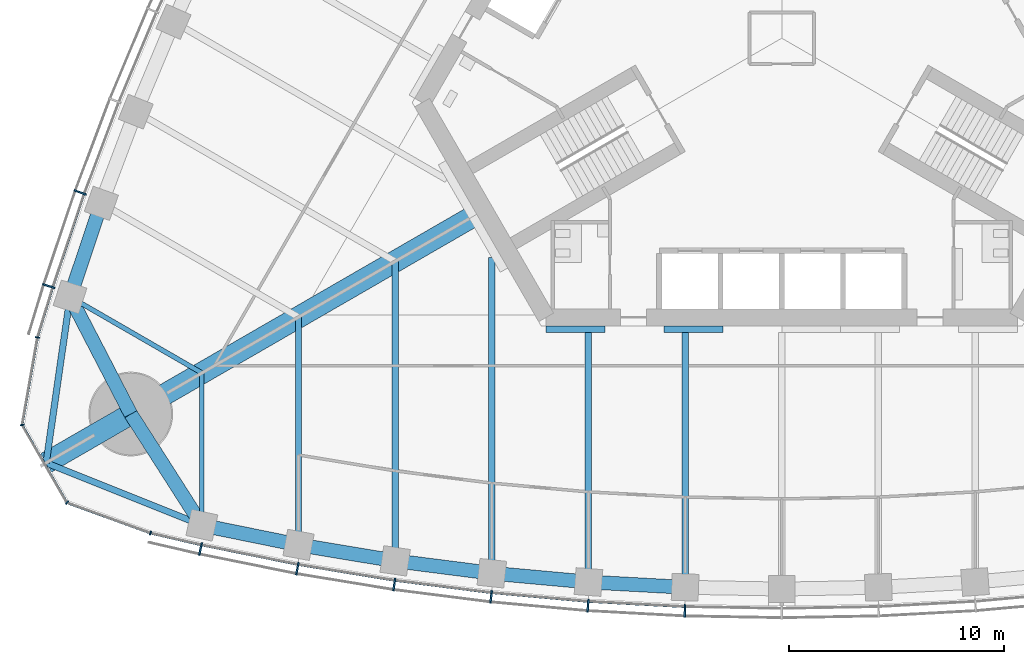
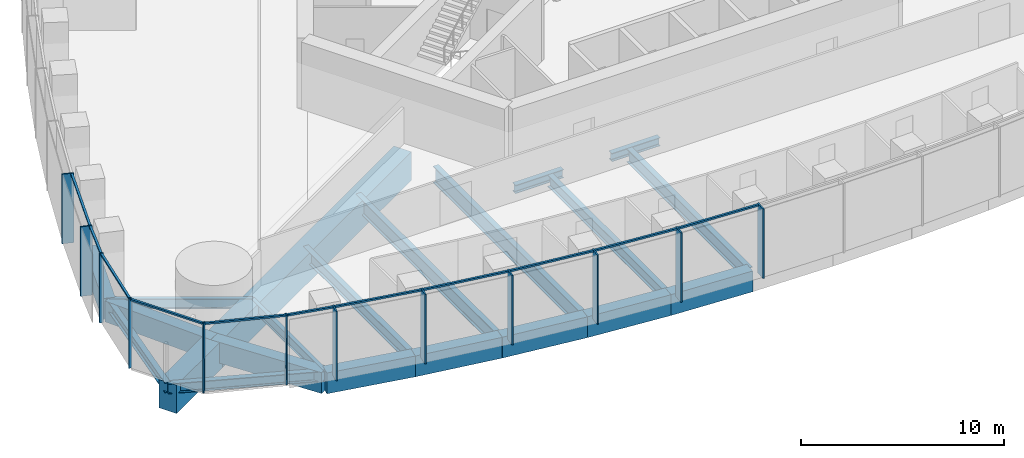
# One storey, part 2 of 21: 23 members, 21 beams, 3 elements without a shape of their own.
"""IFC4 building model written with IfcOpenShell, lengths in metres."""

from ifc_helpers import new_model, si_unit, direction, frame, origin, origin_2d, place, context, subcontext, project, spatial, rectangle, i_section, extrude, material, material_profile, profile_set, type_object, element, aggregate, save


model = new_model("IFC4")

# Units and contexts
model_context = context("Model", 3, precision=1e-05, world=origin(), true_north=direction((0.0, 1.0)))
body_context = subcontext(model_context, "Body", "Model", "MODEL_VIEW")
ifc_project = project(units=[si_unit("LENGTHUNIT", "METRE"), si_unit("AREAUNIT", "SQUARE_METRE"), si_unit("VOLUMEUNIT", "CUBIC_METRE"), si_unit("PLANEANGLEUNIT", "RADIAN"), si_unit("MASSUNIT", "GRAM", prefix="KILO")], contexts=[model_context])

# Site, building, storey
site_placement = place(None, origin())
site = spatial("IfcSite", under=ifc_project, at=site_placement, CompositionType="ELEMENT")
building_placement = place(site_placement, origin())
building = spatial("IfcBuilding", under=site, at=building_placement, Name="Trefoil Bronze Tower", CompositionType="ELEMENT")
storey_placement = place(building_placement, frame((0.0, 0.0, 153.5)))
storey = spatial("IfcBuildingStorey", under=building, at=storey_placement, Name="L35", CompositionType="ELEMENT", Elevation=153.5)

# Curtain wall, members
ifc_material_1 = material(Name="Tinted solar-control glass", Category="glass")
curtain_wall_type_1 = type_object("IfcCurtainWallType", Name="Bronze office curtain wall", PredefinedType="USERDEFINED", material=ifc_material_1)
curtain_wall_1_placement = place(storey_placement, origin())
curtain_wall_1 = element("IfcCurtainWall", 1, at=curtain_wall_1_placement, inside=storey, type_object=curtain_wall_type_1, Name="CW-A L35 F1", ObjectType="CURTAIN WALL", PredefinedType="USERDEFINED")
ifc_material_2 = material(Name="Bronze-finish aluminium", Category="aluminium")
ifc_material_profile_1 = material_profile(ifc_material_2, rectangle(XDim=0.60009765625, YDim=0.080078125, at=origin_2d()), Name="CW-A mullion")
ifc_profile_set_1 = profile_set([ifc_material_profile_1], Name="Bronze-finish aluminium")
member_type_1 = type_object("IfcMemberType", Name="Bronze office curtain wall mullion", PredefinedType="MULLION", material=ifc_profile_set_1)
member_1_placement = place(storey_placement, frame((-27.0634765625, -23.7890625, 0.0), z_axis=(0.0, 0.0, 1.0), x_axis=(0.21197042503, 0.977276081214, 0.0)))
member_1 = element("IfcMember", 2, at=member_1_placement, type_object=member_type_1, Name="CW-A L35 F1 mullion 2", PredefinedType="MULLION", context=body_context, shape_type="SweptSolid", body=[
    extrude(rectangle(XDim=0.60009765625, YDim=0.080078125, at=origin_2d()), origin(), (0.0, 0.0, 1.0), 4.179931640625),
])
member_2_placement = place(storey_placement, frame((-22.553955078125, -24.700927734375, 0.0), z_axis=(0.0, 0.0, 1.0), x_axis=(0.180240853954, 0.98362250613, 0.0)))
member_2 = element("IfcMember", 3, at=member_2_placement, type_object=member_type_1, Name="CW-A L35 F1 mullion 3", PredefinedType="MULLION", context=body_context, shape_type="SweptSolid", body=[
    extrude(rectangle(XDim=0.60009765625, YDim=0.080078125, at=origin_2d()), origin(), (0.0, 0.0, 1.0), 4.179931640625),
])
member_3_placement = place(storey_placement, frame((-18.043212890625, -25.4423828125, 0.0), z_axis=(0.0, 0.0, 1.0), x_axis=(0.144192103798, 0.989549714366, 0.0)))
member_3 = element("IfcMember", 4, at=member_3_placement, type_object=member_type_1, Name="CW-A L35 F1 mullion 4", PredefinedType="MULLION", context=body_context, shape_type="SweptSolid", body=[
    extrude(rectangle(XDim=0.60009765625, YDim=0.080078125, at=origin_2d()), origin(), (0.0, 0.0, 1.0), 4.179931640625),
])
member_4_placement = place(storey_placement, frame((-13.532470703125, -26.01611328125, 0.0), z_axis=(0.0, 0.0, 1.0), x_axis=(0.108143747013, 0.994135267447, 0.0)))
member_4 = element("IfcMember", 5, at=member_4_placement, type_object=member_type_1, Name="CW-A L35 F1 mullion 5", PredefinedType="MULLION", context=body_context, shape_type="SweptSolid", body=[
    extrude(rectangle(XDim=0.60009765625, YDim=0.080078125, at=origin_2d()), origin(), (0.0, 0.0, 1.0), 4.179931640625),
])
member_5_placement = place(storey_placement, frame((-9.021728515625, -26.424072265625, 0.0), z_axis=(0.0, 0.0, 1.0), x_axis=(0.072095676284, 0.997397720802, 0.0)))
member_5 = element("IfcMember", 6, at=member_5_placement, type_object=member_type_1, Name="CW-A L35 F1 mullion 6", PredefinedType="MULLION", context=body_context, shape_type="SweptSolid", body=[
    extrude(rectangle(XDim=0.60009765625, YDim=0.080078125, at=origin_2d()), origin(), (0.0, 0.0, 1.0), 4.179931640625),
])
member_6_placement = place(storey_placement, frame((-4.5107421875, -26.66845703125, 0.0), z_axis=(0.0, 0.0, 1.0), x_axis=(0.036047792107, 0.999350067136, 0.0)))
member_6 = element("IfcMember", 7, at=member_6_placement, type_object=member_type_1, Name="CW-A L35 F1 mullion 7", PredefinedType="MULLION", context=body_context, shape_type="SweptSolid", body=[
    extrude(rectangle(XDim=0.60009765625, YDim=0.080078125, at=origin_2d()), origin(), (0.0, 0.0, 1.0), 4.179931640625),
])

curtain_wall_2_placement = place(storey_placement, origin())
curtain_wall_2 = element("IfcCurtainWall", 8, at=curtain_wall_2_placement, inside=storey, type_object=curtain_wall_type_1, Name="CW-A L35 F3", ObjectType="CURTAIN WALL", PredefinedType="USERDEFINED")
member_7_placement = place(storey_placement, frame((-32.668701171875, -7.181884765625, 0.0), z_axis=(0.0, 0.0, 1.0), x_axis=(0.94196250502, -0.335718094742, 0.0)))
member_7 = element("IfcMember", 9, at=member_7_placement, type_object=member_type_1, Name="CW-A L35 F3 mullion 13", PredefinedType="MULLION", context=body_context, shape_type="SweptSolid", body=[
    extrude(rectangle(XDim=0.60009765625, YDim=0.080078125, at=origin_2d()), origin(), (0.0, 0.0, 1.0), 4.179931640625),
])
member_8_placement = place(storey_placement, frame((-34.1337890625, -11.543212890625, 0.0), z_axis=(0.0, 0.0, 1.0), x_axis=(0.952331125357, -0.30506626768, 0.0)))
member_8 = element("IfcMember", 10, at=member_8_placement, type_object=member_type_1, Name="CW-A L35 F3 mullion 14", PredefinedType="MULLION", context=body_context, shape_type="SweptSolid", body=[
    extrude(rectangle(XDim=0.60009765625, YDim=0.080078125, at=origin_2d()), origin(), (0.0, 0.0, 1.0), 4.179931640625),
])

# Member
ifc_material_3 = material(Name="Bronze-finish aluminium", Category="aluminium")
ifc_material_profile_2 = material_profile(ifc_material_3, rectangle(XDim=0.1201171875, YDim=0.10009765625, at=origin_2d()), Name="CW-A transom")
ifc_profile_set_2 = profile_set([ifc_material_profile_2], Name="Bronze-finish aluminium")
member_type_2 = type_object("IfcMemberType", Name="Bronze office curtain wall transom", PredefinedType="USERDEFINED", material=ifc_profile_set_2)
member_9_placement = place(storey_placement, frame((-29.34130859375, -23.05615234375, 4.1298828125), z_axis=(0.974206243495, -0.225659467196, 0.0), x_axis=(0.225659467196, 0.974206243495, 0.0)))
member_9 = element("IfcMember", 11, at=member_9_placement, type_object=member_type_2, Name="CW-A L35 F1 transom 1", ObjectType="TRANSOM", PredefinedType="USERDEFINED", context=body_context, shape_type="SweptSolid", body=[
    extrude(rectangle(XDim=0.1201171875, YDim=0.10009765625, at=origin_2d()), origin(), (0.0, 0.0, 1.0), 2.340087890625),
])

member_10_placement = place(storey_placement, frame((-26.980712890625, -23.601806640625, 4.1298828125), z_axis=(0.980153749225, -0.198238815273, 0.0), x_axis=(0.198238815273, 0.980153749225, 0.0)))
member_10 = element("IfcMember", 12, at=member_10_placement, type_object=member_type_2, Name="CW-A L35 F1 transom 2", ObjectType="TRANSOM", PredefinedType="USERDEFINED", context=body_context, shape_type="SweptSolid", body=[
    extrude(rectangle(XDim=0.1201171875, YDim=0.10009765625, at=origin_2d()), origin(), (0.0, 0.0, 1.0), 4.51123046875),
])

member_11_placement = place(storey_placement, frame((-22.476806640625, -24.510986328125, 4.1298828125), z_axis=(0.986755265284, -0.162216048636, 0.0), x_axis=(0.162216048636, 0.986755265284, 0.0)))
member_11 = element("IfcMember", 13, at=member_11_placement, type_object=member_type_2, Name="CW-A L35 F1 transom 3", ObjectType="TRANSOM", PredefinedType="USERDEFINED", context=body_context, shape_type="SweptSolid", body=[
    extrude(rectangle(XDim=0.1201171875, YDim=0.10009765625, at=origin_2d()), origin(), (0.0, 0.0, 1.0), 4.48046875),
])

member_12_placement = place(storey_placement, frame((-17.972900390625, -25.249755859375, 4.1298828125), z_axis=(0.992008387848, -0.12617193998, 0.0), x_axis=(0.12617193998, 0.992008387848, 0.0)))
member_12 = element("IfcMember", 14, at=member_12_placement, type_object=member_type_2, Name="CW-A L35 F1 transom 4", ObjectType="TRANSOM", PredefinedType="USERDEFINED", context=body_context, shape_type="SweptSolid", body=[
    extrude(rectangle(XDim=0.1201171875, YDim=0.10009765625, at=origin_2d()), origin(), (0.0, 0.0, 1.0), 4.456298828125),
])

member_13_placement = place(storey_placement, frame((-13.46923828125, -25.821044921875, 4.1298828125), z_axis=(0.995932787062, -0.090099298863, 0.0), x_axis=(0.090099298863, 0.995932787062, 0.0)))
member_13 = element("IfcMember", 15, at=member_13_placement, type_object=member_type_2, Name="CW-A L35 F1 transom 5", ObjectType="TRANSOM", PredefinedType="USERDEFINED", context=body_context, shape_type="SweptSolid", body=[
    extrude(rectangle(XDim=0.1201171875, YDim=0.10009765625, at=origin_2d()), origin(), (0.0, 0.0, 1.0), 4.4384765625),
])

member_14_placement = place(storey_placement, frame((-8.965576171875, -26.22705078125, 4.1298828125), z_axis=(0.998538253569, -0.054049571306, 0.0), x_axis=(0.054049571306, 0.998538253569, 0.0)))
member_14 = element("IfcMember", 16, at=member_14_placement, type_object=member_type_2, Name="CW-A L35 F1 transom 6", ObjectType="TRANSOM", PredefinedType="USERDEFINED", context=body_context, shape_type="SweptSolid", body=[
    extrude(rectangle(XDim=0.1201171875, YDim=0.10009765625, at=origin_2d()), origin(), (0.0, 0.0, 1.0), 4.4267578125),
])

aggregate(curtain_wall_1, [member_1, member_2, member_3, member_4, member_5, member_6, member_9, member_10, member_11, member_12, member_13, member_14])

member_15_placement = place(storey_placement, frame((-32.49365234375, -7.28857421875, 4.1298828125), z_axis=(-0.318386323729, -0.947961048178, 0.0), x_axis=(0.947961048178, -0.318386323729, 0.0)))
member_15 = element("IfcMember", 17, at=member_15_placement, type_object=member_type_2, Name="CW-A L35 F3 transom 13", ObjectType="TRANSOM", PredefinedType="USERDEFINED", context=body_context, shape_type="SweptSolid", body=[
    extrude(rectangle(XDim=0.1201171875, YDim=0.10009765625, at=origin_2d()), origin(), (0.0, 0.0, 1.0), 4.51123046875),
])

member_16_placement = place(storey_placement, frame((-33.955322265625, -11.643798828125, 4.1298828125), z_axis=(-0.291680468798, -0.956515814883, 0.0), x_axis=(0.956515814883, -0.291680468798, 0.0)))
member_16 = element("IfcMember", 18, at=member_16_placement, type_object=member_type_2, Name="CW-A L35 F3 transom 14", ObjectType="TRANSOM", PredefinedType="USERDEFINED", context=body_context, shape_type="SweptSolid", body=[
    extrude(rectangle(XDim=0.1201171875, YDim=0.10009765625, at=origin_2d()), origin(), (0.0, 0.0, 1.0), 2.34033203125),
])

aggregate(curtain_wall_2, [member_7, member_8, member_15, member_16])

# Curtain wall, members
ifc_material_4 = material(Name="Tinted solar-control glass", Category="glass")
curtain_wall_type_2 = type_object("IfcCurtainWallType", Name="Bronze rounded corner curtain wall", PredefinedType="USERDEFINED", material=ifc_material_4)
curtain_wall_3_placement = place(storey_placement, origin())
curtain_wall_3 = element("IfcCurtainWall", 19, at=curtain_wall_3_placement, inside=storey, type_object=curtain_wall_type_2, Name="CW-B L35 K3", ObjectType="CURTAIN WALL", PredefinedType="USERDEFINED")
ifc_material_5 = material(Name="Bronze-finish aluminium", Category="aluminium")
ifc_material_profile_3 = material_profile(ifc_material_5, rectangle(XDim=0.199951171875, YDim=0.06005859375, at=origin_2d()), Name="CW-B mullion")
ifc_profile_set_3 = profile_set([ifc_material_profile_3], Name="Bronze-finish aluminium")
member_type_3 = type_object("IfcMemberType", Name="Bronze rounded corner curtain wall mullion", PredefinedType="MULLION", material=ifc_profile_set_3)
member_17_placement = place(storey_placement, frame((-34.65234375, -13.932373046875, 0.0), z_axis=(0.0, 0.0, 1.0), x_axis=(0.984807753012, -0.173648177667, 0.0)))
member_17 = element("IfcMember", 20, at=member_17_placement, type_object=member_type_3, Name="CW-B L35 K3 mullion 1", PredefinedType="MULLION", context=body_context, shape_type="SweptSolid", body=[
    extrude(rectangle(XDim=0.199951171875, YDim=0.06005859375, at=origin_2d()), origin(), (0.0, 0.0, 1.0), 4.179931640625),
])
member_18_placement = place(storey_placement, frame((-35.364990234375, -18.009033203125, 0.0), z_axis=(0.0, 0.0, 1.0), x_axis=(0.984807753012, 0.173648177667, 0.0)))
member_18 = element("IfcMember", 21, at=member_18_placement, type_object=member_type_3, Name="CW-B L35 K3 mullion 2", PredefinedType="MULLION", context=body_context, shape_type="SweptSolid", body=[
    extrude(rectangle(XDim=0.199951171875, YDim=0.06005859375, at=origin_2d()), origin(), (0.0, 0.0, 1.0), 4.179931640625),
])
member_19_placement = place(storey_placement, frame((-33.27880859375, -21.62255859375, 0.0), z_axis=(0.0, 0.0, 1.0), x_axis=(0.642787609687, 0.766044443119, 0.0)))
member_19 = element("IfcMember", 22, at=member_19_placement, type_object=member_type_3, Name="CW-B L35 K3 mullion 3", PredefinedType="MULLION", context=body_context, shape_type="SweptSolid", body=[
    extrude(rectangle(XDim=0.199951171875, YDim=0.06005859375, at=origin_2d()), origin(), (0.0, 0.0, 1.0), 4.179931640625),
])
member_20_placement = place(storey_placement, frame((-29.391845703125, -23.043701171875, 0.0), z_axis=(0.0, 0.0, 1.0), x_axis=(0.342020143326, 0.939692620786, 0.0)))
member_20 = element("IfcMember", 23, at=member_20_placement, type_object=member_type_3, Name="CW-B L35 K3 mullion 4", PredefinedType="MULLION", context=body_context, shape_type="SweptSolid", body=[
    extrude(rectangle(XDim=0.199951171875, YDim=0.06005859375, at=origin_2d()), origin(), (0.0, 0.0, 1.0), 4.179931640625),
])
ifc_material_6 = material(Name="Bronze-finish aluminium", Category="aluminium")
ifc_material_profile_4 = material_profile(ifc_material_6, rectangle(XDim=0.1201171875, YDim=0.10009765625, at=origin_2d()), Name="CW-B transom")
ifc_profile_set_4 = profile_set([ifc_material_profile_4], Name="Bronze-finish aluminium")
member_type_4 = type_object("IfcMemberType", Name="Bronze rounded corner curtain wall transom", PredefinedType="USERDEFINED", material=ifc_profile_set_4)
member_21_placement = place(storey_placement, frame((-34.657470703125, -13.9619140625, 4.1298828125), z_axis=(-0.173682016639, -0.984801785689, 0.0), x_axis=(0.984801785689, -0.173682016639, 0.0)))
member_21 = element("IfcMember", 24, at=member_21_placement, type_object=member_type_4, Name="CW-B L35 K3 transom 1", ObjectType="TRANSOM", PredefinedType="USERDEFINED", context=body_context, shape_type="SweptSolid", body=[
    extrude(rectangle(XDim=0.1201171875, YDim=0.10009765625, at=origin_2d()), origin(), (0.0, 0.0, 1.0), 4.044189453125),
])
member_22_placement = place(storey_placement, frame((-35.338134765625, -18.067626953125, 4.1298828125), z_axis=(0.500015078168, -0.866016698225, 0.0), x_axis=(0.866016698225, 0.500015078168, 0.0)))
member_22 = element("IfcMember", 25, at=member_22_placement, type_object=member_type_4, Name="CW-B L35 K3 transom 2", ObjectType="TRANSOM", PredefinedType="USERDEFINED", context=body_context, shape_type="SweptSolid", body=[
    extrude(rectangle(XDim=0.1201171875, YDim=0.10009765625, at=origin_2d()), origin(), (0.0, 0.0, 1.0), 4.04443359375),
])
member_23_placement = place(storey_placement, frame((-33.220458984375, -21.650146484375, 4.1298828125), z_axis=(0.939684096629, -0.342043562347, 0.0), x_axis=(0.342043562347, 0.939684096629, 0.0)))
member_23 = element("IfcMember", 26, at=member_23_placement, type_object=member_type_4, Name="CW-B L35 K3 transom 3", ObjectType="TRANSOM", PredefinedType="USERDEFINED", context=body_context, shape_type="SweptSolid", body=[
    extrude(rectangle(XDim=0.1201171875, YDim=0.10009765625, at=origin_2d()), origin(), (0.0, 0.0, 1.0), 4.044189453125),
])
aggregate(curtain_wall_3, [member_17, member_18, member_19, member_20, member_21, member_22, member_23])

# Beams
ifc_material_7 = material(Name="Steel C355", Category="steel")
ifc_material_profile_5 = material_profile(ifc_material_7, i_section(OverallWidth=0.300048828125, OverallDepth=0.5, WebThickness=0.014404296875, FlangeThickness=0.028076171875, FilletRadius=0.027099609375, at=origin_2d()), Name="HEB 500")
ifc_profile_set_5 = profile_set([ifc_material_profile_5], Name="Steel C355")
beam_type_1 = type_object("IfcBeamType", Name="Core seat beam HEB 500", PredefinedType="BEAM", material=ifc_profile_set_5)
for number, where, z_axis, x_axis, name in (
    (27, (-10.9697265625, -13.550048828125, -0.449951171875), (1.0, 0.0, 0.0), (0.0, 1.0, 0.0), "Core seat beam F1/-2 L35"),
    (28, (-5.48486328125, -13.550048828125, -0.449951171875), (1.0, 0.0, 0.0), (0.0, 1.0, 0.0), "Core seat beam F1/-1 L35"),
):
    element("IfcBeam", number, at=place(storey_placement, frame(where, z_axis=z_axis, x_axis=x_axis)), inside=storey, type_object=beam_type_1, Name=name, PredefinedType="BEAM", context=body_context, shape_type="SweptSolid", body=[
        extrude(i_section(OverallWidth=0.300048828125, OverallDepth=0.5, WebThickness=0.014404296875, FlangeThickness=0.028076171875, FilletRadius=0.027099609375, at=origin_2d()), origin(), (0.0, 0.0, 1.0), 2.742431640625),
    ])
ifc_material_8 = material(Name="Concrete B80", Category="concrete")
ifc_material_profile_6 = material_profile(ifc_material_8, rectangle(XDim=1.0, YDim=1.699951171875, at=origin_2d()), Name="RC 1000x1700")
ifc_profile_set_6 = profile_set([ifc_material_profile_6], Name="Concrete B80")
beam_type_2 = type_object("IfcBeamType", Name="Corner cantilever RC 1000x1700", PredefinedType="BEAM", material=ifc_profile_set_6)
beam_1_placement = place(storey_placement, frame((-30.310791015625, -17.5, -1.050048828125), z_axis=(-0.866031878637, -0.499988785058, 0.0), x_axis=(0.499988785058, -0.866031878637, 0.0)))
element("IfcBeam", 29, at=beam_1_placement, inside=storey, type_object=beam_type_2, Name="Corner cantilever K3 L35", PredefinedType="BEAM", context=body_context, shape_type="SweptSolid", body=[
    extrude(rectangle(XDim=1.0, YDim=1.699951171875, at=origin_2d()), origin(), (0.0, 0.0, 1.0), 4.54931640625),
])
ifc_material_9 = material(Name="Steel C355", Category="steel")
ifc_material_profile_7 = material_profile(ifc_material_9, i_section(OverallWidth=0.300048828125, OverallDepth=0.60009765625, WebThickness=0.015380859375, FlangeThickness=0.030029296875, FilletRadius=0.027099609375, at=origin_2d()), Name="HEB 600")
ifc_profile_set_7 = profile_set([ifc_material_profile_7], Name="Steel C355")
beam_type_3 = type_object("IfcBeamType", Name="Corner edge beam HEB 600", PredefinedType="BEAM", material=ifc_profile_set_7)
for number, where, z_axis, x_axis, name in (
    (30, (-27.0, -22.67724609375, -0.5), (-0.928375332495, 0.371643972122, 0.0), (-0.371643972122, -0.928375332495, 0.0), "Corner edge beam F1B L35"),
    (31, (-33.13916015625, -12.044189453125, -0.5), (-0.142327214588, -0.989819662357, 0.0), (0.989819662357, -0.142327214588, 0.0), "Corner edge beam F3A L35"),
):
    element("IfcBeam", number, at=place(storey_placement, frame(where, z_axis=z_axis, x_axis=x_axis)), inside=storey, type_object=beam_type_3, Name=name, PredefinedType="BEAM", context=body_context, shape_type="SweptSolid", body=[
        extrude(i_section(OverallWidth=0.300048828125, OverallDepth=0.60009765625, WebThickness=0.015380859375, FlangeThickness=0.030029296875, FilletRadius=0.027099609375, at=origin_2d()), origin(), (0.0, 0.0, 1.0), 7.81005859375),
    ])
ifc_material_10 = material(Name="Concrete B80", Category="concrete")
ifc_material_profile_8 = material_profile(ifc_material_10, rectangle(XDim=1.0, YDim=1.699951171875, at=origin_2d()), Name="RC 1000x1700")
ifc_profile_set_8 = profile_set([ifc_material_profile_8], Name="Concrete B80")
beam_type_4 = type_object("IfcBeamType", Name="Corner girder RC 1000x1700", PredefinedType="BEAM", material=ifc_profile_set_8)
beam_2_placement = place(storey_placement, frame((-14.202880859375, -8.199951171875, -1.050048828125), z_axis=(-0.866022084834, -0.500005748546, 0.0), x_axis=(0.500005748546, -0.866022084834, 0.0)))
element("IfcBeam", 32, at=beam_2_placement, inside=storey, type_object=beam_type_4, Name="Corner girder K3 L35", PredefinedType="BEAM", context=body_context, shape_type="SweptSolid", body=[
    extrude(rectangle(XDim=1.0, YDim=1.699951171875, at=origin_2d()), origin(), (0.0, 0.0, 1.0), 18.599853515625),
])
ifc_material_11 = material(Name="Concrete B80", Category="concrete")
ifc_material_profile_9 = material_profile(ifc_material_11, rectangle(XDim=0.64990234375, YDim=1.25, at=origin_2d()), Name="RC 650x1250")
ifc_profile_set_9 = profile_set([ifc_material_profile_9], Name="Concrete B80")
beam_type_5 = type_object("IfcBeamType", Name="End spandrel beam RC 650x1250", PredefinedType="SPANDREL", material=ifc_profile_set_9)
for number, where, z_axis, x_axis, name in (
    (33, (-30.310791015625, -17.5, -0.824951171875), (0.53874814953, -0.84246687257, 0.0), (0.84246687257, 0.53874814953, 0.0), "Spandrel F1.1 L35"),
    (34, (-33.13916015625, -12.044189453125, -0.824951171875), (0.460244107083, -0.887792409235, 0.0), (0.887792409235, 0.460244107083, 0.0), "Spandrel F3.14 L35"),
):
    element("IfcBeam", number, at=place(storey_placement, frame(where, z_axis=z_axis, x_axis=x_axis)), inside=storey, type_object=beam_type_5, Name=name, PredefinedType="SPANDREL", context=body_context, shape_type="SweptSolid", body=[
        extrude(rectangle(XDim=0.64990234375, YDim=1.25, at=origin_2d()), origin(), (0.0, 0.0, 1.0), 6.145263671875),
    ])
ifc_material_12 = material(Name="Steel C355", Category="steel")
ifc_material_profile_10 = material_profile(ifc_material_12, i_section(OverallWidth=0.300048828125, OverallDepth=1.0, WebThickness=0.01904296875, FlangeThickness=0.035888671875, FilletRadius=0.030029296875, at=origin_2d()), Name="HEB 1000")
ifc_profile_set_10 = profile_set([ifc_material_profile_10], Name="Steel C355")
beam_type_6 = type_object("IfcBeamType", Name="Floor beam HEB 1000", PredefinedType="BEAM", material=ifc_profile_set_10)
beam_3_placement = place(storey_placement, frame((-13.5, -24.9130859375, -0.699951171875), z_axis=(0.0, 1.0, 0.0), x_axis=(-1.0, 0.0, 0.0)))
element("IfcBeam", 35, at=beam_3_placement, inside=storey, type_object=beam_type_6, Name="Floor beam F1/-3 L35", PredefinedType="BEAM", context=body_context, shape_type="SweptSolid", body=[
    extrude(i_section(OverallWidth=0.300048828125, OverallDepth=1.0, WebThickness=0.01904296875, FlangeThickness=0.035888671875, FilletRadius=0.030029296875, at=origin_2d()), origin(), (0.0, 0.0, 1.0), 14.69580078125),
])
ifc_material_13 = material(Name="Steel C355", Category="steel")
ifc_material_profile_11 = material_profile(ifc_material_13, i_section(OverallWidth=0.300048828125, OverallDepth=0.699951171875, WebThickness=0.01708984375, FlangeThickness=0.031982421875, FilletRadius=0.027099609375, at=origin_2d()), Name="HEB 700")
ifc_profile_set_11 = profile_set([ifc_material_profile_11], Name="Steel C355")
beam_type_7 = type_object("IfcBeamType", Name="Floor beam HEB 700", PredefinedType="BEAM", material=ifc_profile_set_11)
beam_4_placement = place(storey_placement, frame((-22.5, -23.592529296875, -0.550048828125), z_axis=(0.0, 1.0, 0.0), x_axis=(-1.0, 0.0, 0.0)))
element("IfcBeam", 36, at=beam_4_placement, inside=storey, type_object=beam_type_7, Name="Floor beam F1/-5 L35", PredefinedType="BEAM", context=body_context, shape_type="SweptSolid", body=[
    extrude(i_section(OverallWidth=0.300048828125, OverallDepth=0.699951171875, WebThickness=0.01708984375, FlangeThickness=0.031982421875, FilletRadius=0.027099609375, at=origin_2d()), origin(), (0.0, 0.0, 1.0), 10.60205078125),
])
beam_5_placement = place(storey_placement, frame((-9.0, -25.32275390625, -0.550048828125), z_axis=(0.0, 1.0, 0.0), x_axis=(-1.0, 0.0, 0.0)))
element("IfcBeam", 37, at=beam_5_placement, inside=storey, type_object=beam_type_7, Name="Floor beam F1/-2 L35", PredefinedType="BEAM", context=body_context, shape_type="SweptSolid", body=[
    extrude(i_section(OverallWidth=0.300048828125, OverallDepth=0.699951171875, WebThickness=0.01708984375, FlangeThickness=0.031982421875, FilletRadius=0.027099609375, at=origin_2d()), origin(), (0.0, 0.0, 1.0), 11.622802734375),
])
ifc_material_14 = material(Name="Steel C355", Category="steel")
ifc_material_profile_12 = material_profile(ifc_material_14, i_section(OverallWidth=0.300048828125, OverallDepth=0.800048828125, WebThickness=0.017578125, FlangeThickness=0.032958984375, FilletRadius=0.030029296875, at=origin_2d()), Name="HEB 800")
ifc_profile_set_12 = profile_set([ifc_material_profile_12], Name="Steel C355")
beam_type_8 = type_object("IfcBeamType", Name="Floor beam HEB 800", PredefinedType="BEAM", material=ifc_profile_set_12)
beam_6_placement = place(storey_placement, frame((-4.5, -25.568115234375, -0.60009765625), z_axis=(0.0, 1.0, 0.0), x_axis=(-1.0, 0.0, 0.0)))
element("IfcBeam", 38, at=beam_6_placement, inside=storey, type_object=beam_type_8, Name="Floor beam F1/-1 L35", PredefinedType="BEAM", context=body_context, shape_type="SweptSolid", body=[
    extrude(i_section(OverallWidth=0.300048828125, OverallDepth=0.800048828125, WebThickness=0.017578125, FlangeThickness=0.032958984375, FilletRadius=0.030029296875, at=origin_2d()), origin(), (0.0, 0.0, 1.0), 11.8681640625),
])
ifc_material_15 = material(Name="Steel C355", Category="steel")
ifc_material_profile_13 = material_profile(ifc_material_15, i_section(OverallWidth=0.300048828125, OverallDepth=0.89990234375, WebThickness=0.0185546875, FlangeThickness=0.034912109375, FilletRadius=0.030029296875, at=origin_2d()), Name="HEB 900")
ifc_profile_set_13 = profile_set([ifc_material_profile_13], Name="Steel C355")
beam_type_9 = type_object("IfcBeamType", Name="Floor beam HEB 900", PredefinedType="BEAM", material=ifc_profile_set_13)
beam_7_placement = place(storey_placement, frame((-18.0, -24.337158203125, -0.64990234375), z_axis=(0.0, 1.0, 0.0), x_axis=(-1.0, 0.0, 0.0)))
element("IfcBeam", 39, at=beam_7_placement, inside=storey, type_object=beam_type_9, Name="Floor beam F1/-4 L35", PredefinedType="BEAM", context=body_context, shape_type="SweptSolid", body=[
    extrude(i_section(OverallWidth=0.300048828125, OverallDepth=0.89990234375, WebThickness=0.0185546875, FlangeThickness=0.034912109375, FilletRadius=0.030029296875, at=origin_2d()), origin(), (0.0, 0.0, 1.0), 13.94482421875),
])
ifc_material_16 = material(Name="Steel C355", Category="steel")
ifc_material_profile_14 = material_profile(ifc_material_16, i_section(OverallWidth=0.219970703125, OverallDepth=0.60009765625, WebThickness=0.011962890625, FlangeThickness=0.01904296875, FilletRadius=0.02392578125, at=origin_2d()), Name="IPE 600")
ifc_profile_set_14 = profile_set([ifc_material_profile_14], Name="Steel C355")
beam_type_10 = type_object("IfcBeamType", Name="Floor beam IPE 600", PredefinedType="BEAM", material=ifc_profile_set_14)
for number, where, z_axis, x_axis, name in (
    (40, (-27.0, -22.67724609375, -0.5), (0.0, 1.0, 0.0), (-1.0, 0.0, 0.0), "Floor beam F1/-6 L35"),
    (41, (-33.13916015625, -12.044189453125, -0.5), (0.866041060244, -0.499972881236, 0.0), (0.499972881236, 0.866041060244, 0.0), "Floor beam F3/+6 L35"),
):
    element("IfcBeam", number, at=place(storey_placement, frame(where, z_axis=z_axis, x_axis=x_axis)), inside=storey, type_object=beam_type_10, Name=name, PredefinedType="BEAM", context=body_context, shape_type="SweptSolid", body=[
        extrude(i_section(OverallWidth=0.219970703125, OverallDepth=0.60009765625, WebThickness=0.011962890625, FlangeThickness=0.01904296875, FilletRadius=0.02392578125, at=origin_2d()), origin(), (0.0, 0.0, 1.0), 7.0888671875),
    ])
ifc_material_17 = material(Name="Concrete B80", Category="concrete")
ifc_material_profile_15 = material_profile(ifc_material_17, rectangle(XDim=0.64990234375, YDim=1.25, at=origin_2d()), Name="RC 650x1250")
ifc_profile_set_15 = profile_set([ifc_material_profile_15], Name="Concrete B80")
beam_type_11 = type_object("IfcBeamType", Name="Spandrel beam RC 650x1250", PredefinedType="SPANDREL", material=ifc_profile_set_15)
beam_8_placement = place(storey_placement, frame((-27.0, -22.67724609375, -0.824951171875), z_axis=(0.979935430296, -0.199315208777, 0.0), x_axis=(0.199315208777, 0.979935430296, 0.0)))
element("IfcBeam", 42, at=beam_8_placement, inside=storey, type_object=beam_type_11, Name="Spandrel F1.2 L35", PredefinedType="SPANDREL", context=body_context, shape_type="SweptSolid", body=[
    extrude(rectangle(XDim=0.64990234375, YDim=1.25, at=origin_2d()), origin(), (0.0, 0.0, 1.0), 4.592041015625),
])
beam_9_placement = place(storey_placement, frame((-22.5, -23.592529296875, -0.824951171875), z_axis=(0.986584214684, -0.163253138823, 0.0), x_axis=(0.163253138823, 0.986584214684, 0.0)))
element("IfcBeam", 43, at=beam_9_placement, inside=storey, type_object=beam_type_11, Name="Spandrel F1.3 L35", PredefinedType="SPANDREL", context=body_context, shape_type="SweptSolid", body=[
    extrude(rectangle(XDim=0.64990234375, YDim=1.25, at=origin_2d()), origin(), (0.0, 0.0, 1.0), 4.561279296875),
])
beam_10_placement = place(storey_placement, frame((-18.0, -24.337158203125, -0.824951171875), z_axis=(0.991909314257, -0.126948463126, 0.0), x_axis=(0.126948463126, 0.991909314257, 0.0)))
element("IfcBeam", 44, at=beam_10_placement, inside=storey, type_object=beam_type_11, Name="Spandrel F1.4 L35", PredefinedType="SPANDREL", context=body_context, shape_type="SweptSolid", body=[
    extrude(rectangle(XDim=0.64990234375, YDim=1.25, at=origin_2d()), origin(), (0.0, 0.0, 1.0), 4.53662109375),
])
beam_11_placement = place(storey_placement, frame((-13.5, -24.9130859375, -0.824951171875), z_axis=(0.995881683815, -0.090662405894, 0.0), x_axis=(0.090662405894, 0.995881683815, 0.0)))
element("IfcBeam", 45, at=beam_11_placement, inside=storey, type_object=beam_type_11, Name="Spandrel F1.5 L35", PredefinedType="SPANDREL", context=body_context, shape_type="SweptSolid", body=[
    extrude(rectangle(XDim=0.64990234375, YDim=1.25, at=origin_2d()), origin(), (0.0, 0.0, 1.0), 4.5185546875),
])
beam_12_placement = place(storey_placement, frame((-9.0, -25.32275390625, -0.824951171875), z_axis=(0.998516832602, -0.054443870267, 0.0), x_axis=(0.054443870267, 0.998516832602, 0.0)))
element("IfcBeam", 46, at=beam_12_placement, inside=storey, type_object=beam_type_11, Name="Spandrel F1.6 L35", PredefinedType="SPANDREL", context=body_context, shape_type="SweptSolid", body=[
    extrude(rectangle(XDim=0.64990234375, YDim=1.25, at=origin_2d()), origin(), (0.0, 0.0, 1.0), 4.506591796875),
])
beam_13_placement = place(storey_placement, frame((-31.681884765625, -7.689208984375, -0.824951171875), z_axis=(-0.31732802068, -0.948315837309, 0.0), x_axis=(0.948315837309, -0.31732802068, 0.0)))
element("IfcBeam", 47, at=beam_13_placement, inside=storey, type_object=beam_type_11, Name="Spandrel F3.13 L35", PredefinedType="SPANDREL", context=body_context, shape_type="SweptSolid", body=[
    extrude(rectangle(XDim=0.64990234375, YDim=1.25, at=origin_2d()), origin(), (0.0, 0.0, 1.0), 4.59228515625),
])

save(model, "model.ifc")
